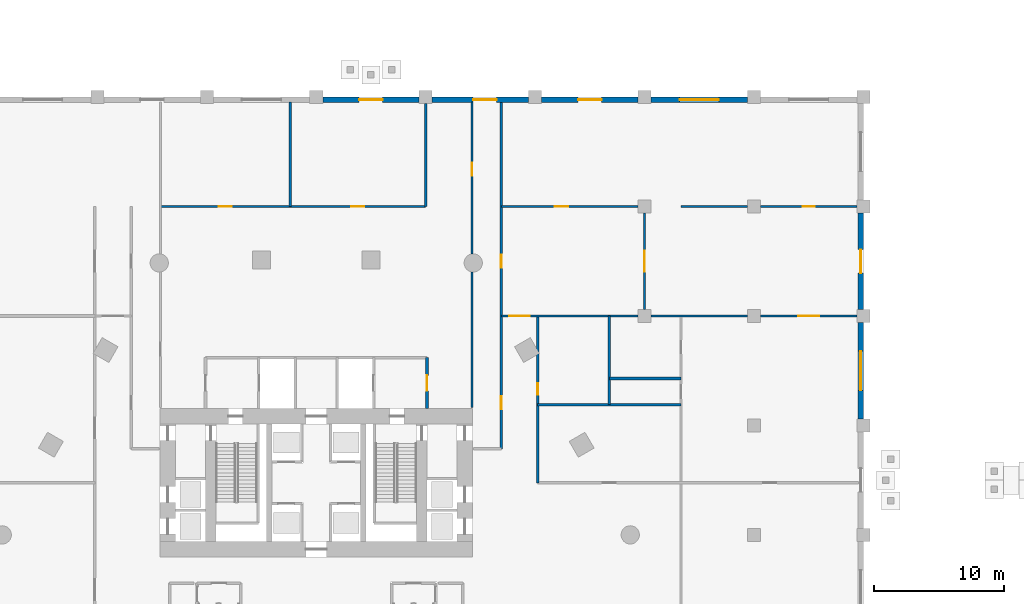
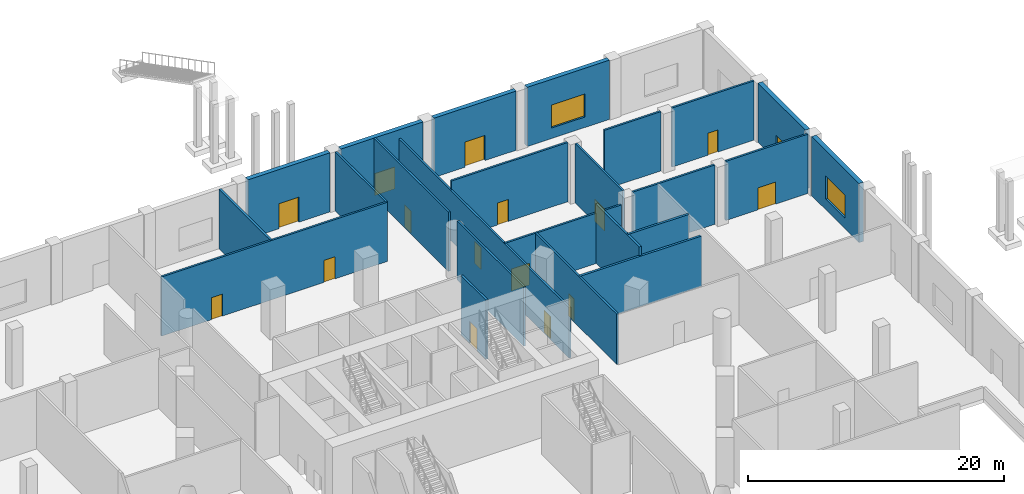
# One storey, part 17 of 25: 24 walls, 16 doors, 2 windows, 18 openings.
"""IFC4 building model written with IfcOpenShell, lengths in metres."""

from ifc_helpers import new_model, si_unit, direction, frame, frame_2d, origin, place, context, subcontext, project, spatial, rectangle, extrude, material, layer, layer_set, type_object, element, fill, save


model = new_model("IFC4")

# Units and contexts
model_context = context("Model", 3, precision=1e-05, world=origin(), true_north=direction((0.0, 1.0)))
body_context = subcontext(model_context, "Body", "Model", "MODEL_VIEW")
ifc_project = project(units=[si_unit("LENGTHUNIT", "METRE"), si_unit("AREAUNIT", "SQUARE_METRE"), si_unit("VOLUMEUNIT", "CUBIC_METRE"), si_unit("PLANEANGLEUNIT", "RADIAN"), si_unit("MASSUNIT", "GRAM", prefix="KILO")], contexts=[model_context])

# Site, building, storey
site_placement = place(None, origin())
site = spatial("IfcSite", under=ifc_project, at=site_placement, CompositionType="ELEMENT")
building_placement = place(site_placement, origin())
building = spatial("IfcBuilding", under=site, at=building_placement, Name="Ostrander Bayou Hotel Tower", CompositionType="ELEMENT")
storey_placement = place(building_placement, origin())
storey = spatial("IfcBuildingStorey", under=building, at=storey_placement, Name="L00", CompositionType="ELEMENT", Elevation=0.0)

# Walls
ifc_material_1 = material(Name="Gypsum board partition", Category="finish")
ifc_layer_1 = layer(ifc_material_1, 0.199951171875)
ifc_layer_set_1 = layer_set([ifc_layer_1], Name="PT3 demising wall 200 mm acoustic double stud, 1 hour")
wall_type_1 = type_object("IfcWallType", Name="PT3 demising wall 200 mm acoustic double stud, 1 hour", PredefinedType="PARTITIONING", material=ifc_layer_set_1)
wall_1_placement = place(storey_placement, frame((17.0, 10.0, 0.0), z_axis=(0.0, 0.0, 1.0), x_axis=(1.0, 0.0, 0.0)))
element("IfcWall", 1, at=wall_1_placement, inside=storey, type_object=wall_type_1, Name="sw:L00:039", PredefinedType="PARTITIONING", context=body_context, shape_type="SweptSolid", body=[
    extrude(rectangle(XDim=11.0, YDim=0.199951171875, at=frame_2d((5.5, 0.0))), origin(), (0.0, 0.0, 1.0), 4.800048828125),
])
wall_2_placement = place(storey_placement, frame((22.5, 12.0, 0.0), z_axis=(0.0, 0.0, 1.0), x_axis=(1.0, 0.0, 0.0)))
element("IfcWall", 2, at=wall_2_placement, inside=storey, type_object=wall_type_1, Name="sw:L00:040", PredefinedType="PARTITIONING", context=body_context, shape_type="SweptSolid", body=[
    extrude(rectangle(XDim=5.5, YDim=0.199951171875, at=frame_2d((2.75, 0.0))), origin(), (0.0, 0.0, 1.0), 5.64990234375),
])
wall_3_placement = place(storey_placement, frame((-2.0, 25.199951171875, 0.0), z_axis=(0.0, 0.0, 1.0), x_axis=(0.0, 1.0, 0.0)))
element("IfcWall", 3, at=wall_3_placement, inside=storey, type_object=wall_type_1, Name="sw:L00:046", PredefinedType="PARTITIONING", context=body_context, shape_type="SweptSolid", body=[
    extrude(rectangle(XDim=8.02001953125, YDim=0.199951171875, at=frame_2d((4.010009765625, 0.0))), origin(), (0.0, 0.0, 1.0), 5.64990234375),
])
wall_4_placement = place(storey_placement, frame((22.5, 10.0, 0.0), z_axis=(0.0, 0.0, 1.0), x_axis=(0.0, 1.0, 0.0)))
element("IfcWall", 4, at=wall_4_placement, inside=storey, type_object=wall_type_1, Name="sw:L00:047", PredefinedType="PARTITIONING", context=body_context, shape_type="SweptSolid", body=[
    extrude(rectangle(XDim=6.800048828125, YDim=0.199951171875, at=frame_2d((3.39990234375, 0.0))), origin(), (0.0, 0.0, 1.0), 5.64990234375),
])

# Wall, opening, door
ifc_material_2 = material(Name="Gypsum board partition", Category="finish")
ifc_layer_2 = layer(ifc_material_2, 0.175048828125)
ifc_layer_set_2 = layer_set([ifc_layer_2], Name="PT4 corridor wall 175 mm, 1 hour")
wall_type_2 = type_object("IfcWallType", Name="PT4 corridor wall 175 mm, 1 hour", PredefinedType="PARTITIONING", material=ifc_layer_set_2)
wall_5_placement = place(storey_placement, frame((14.199951171875, 16.800048828125, 0.0), z_axis=(0.0, 0.0, 1.0), x_axis=(1.0, 0.0, 0.0)))
wall_5 = element("IfcWall", 5, at=wall_5_placement, inside=storey, type_object=wall_type_2, Name="sw:L00:015", PredefinedType="PARTITIONING", context=body_context, shape_type="SweptSolid", body=[
    extrude(rectangle(XDim=10.5, YDim=0.175048828125, at=frame_2d((5.25, 0.0))), origin(), (0.0, 0.0, 1.0), 4.800048828125),
])
opening_1_placement = place(wall_5_placement, frame((0.60009765625, 0.0, 0.0)))
opening_1 = element("IfcOpeningElement", 6, at=opening_1_placement, cuts=wall_5, Name="Opening T00-205", PredefinedType="OPENING", context=body_context, shape_type="SweptSolid", body=[
    extrude(rectangle(XDim=1.60009765625, YDim=2.10009765625, at=frame_2d((0.800048828125, 1.050048828125))), frame((0.0, 0.08740234375, 0.0), z_axis=(0.0, -1.0, 0.0), x_axis=(1.0, 0.0, 0.0)), (0.0, 0.0, 1.0), 0.175048828125),
])
ifc_material_3 = material(Name="Timber door leaf", Category="wood")
door_type_1 = type_object("IfcDoorType", Name="D13 double door 1600 x 2100 mm, 1 hour", OperationType="SINGLE_SWING_LEFT", PredefinedType="DOOR", material=ifc_material_3)
door_1_placement = place(opening_1_placement, origin())
door_1 = element("IfcDoor", 7, at=door_1_placement, inside=storey, type_object=door_type_1, Name="dr:L00:205", OperationType="DOUBLE_DOOR_SINGLE_SWING", OverallHeight=2.10009765625, OverallWidth=1.60009765625, PredefinedType="DOOR", context=body_context, shape_type="SweptSolid", body=[
    extrude(rectangle(XDim=1.60009765625, YDim=2.10009765625, at=frame_2d((0.800048828125, 1.050048828125))), frame((0.0, 0.02490234375, 0.0), z_axis=(0.0, -1.0, 0.0), x_axis=(1.0, 0.0, 0.0)), (0.0, 0.0, 1.0), 0.050048828125),
])
fill(opening_1, door_1)

# Wall
wall_6_placement = place(storey_placement, frame((25.699951171875, 16.800048828125, 0.0), z_axis=(0.0, 0.0, 1.0), x_axis=(1.0, 0.0, 0.0)))
element("IfcWall", 8, at=wall_6_placement, inside=storey, type_object=wall_type_2, Name="sw:L00:016", PredefinedType="PARTITIONING", context=body_context, shape_type="SweptSolid", body=[
    extrude(rectangle(XDim=7.400146484375, YDim=0.175048828125, at=frame_2d((3.7001953125, 0.0))), origin(), (0.0, 0.0, 1.0), 5.64990234375),
])

# Wall, opening, door
wall_7_placement = place(storey_placement, frame((34.10009765625, 16.800048828125, 0.0), z_axis=(0.0, 0.0, 1.0), x_axis=(1.0, 0.0, 0.0)))
wall_7 = element("IfcWall", 9, at=wall_7_placement, inside=storey, type_object=wall_type_2, Name="sw:L00:017", PredefinedType="PARTITIONING", context=body_context, shape_type="SweptSolid", body=[
    extrude(rectangle(XDim=7.39990234375, YDim=0.175048828125, at=frame_2d((3.699951171875, 0.0))), origin(), (0.0, 0.0, 1.0), 5.64990234375),
])
opening_2_placement = place(wall_7_placement, frame((2.89990234375, 0.0, 0.0)))
opening_2 = element("IfcOpeningElement", 10, at=opening_2_placement, cuts=wall_7, Name="Opening T00-226", PredefinedType="OPENING", context=body_context, shape_type="SweptSolid", body=[
    extrude(rectangle(XDim=1.60009765625, YDim=2.10009765625, at=frame_2d((0.800048828125, 1.050048828125))), frame((0.0, 0.08740234375, 0.0), z_axis=(0.0, -1.0, 0.0), x_axis=(1.0, 0.0, 0.0)), (0.0, 0.0, 1.0), 0.175048828125),
])
door_2_placement = place(opening_2_placement, origin())
door_2 = element("IfcDoor", 11, at=door_2_placement, inside=storey, type_object=door_type_1, Name="dr:L00:226", OperationType="DOUBLE_DOOR_SINGLE_SWING", OverallHeight=2.10009765625, OverallWidth=1.60009765625, PredefinedType="DOOR", context=body_context, shape_type="SweptSolid", body=[
    extrude(rectangle(XDim=1.60009765625, YDim=2.10009765625, at=frame_2d((0.800048828125, 1.050048828125))), frame((0.0, 0.02490234375, 0.0), z_axis=(0.0, -1.0, 0.0), x_axis=(1.0, 0.0, 0.0)), (0.0, 0.0, 1.0), 0.050048828125),
])
fill(opening_2, door_2)

# Wall, openings, doors
wall_8_placement = place(storey_placement, frame((-11.949951171875, 25.199951171875, 0.0), z_axis=(0.0, 0.0, 1.0), x_axis=(1.0, 0.0, 0.0)))
wall_8 = element("IfcWall", 12, at=wall_8_placement, inside=storey, type_object=wall_type_2, Name="sw:L00:018", PredefinedType="PARTITIONING", context=body_context, shape_type="SweptSolid", body=[
    extrude(rectangle(XDim=20.349853515625, YDim=0.175048828125, at=frame_2d((10.1748046875, 0.0))), origin(), (0.0, 0.0, 1.0), 5.64990234375),
])
opening_3_placement = place(wall_8_placement, frame((4.47509765625, 0.0, 0.0)))
opening_3 = element("IfcOpeningElement", 13, at=opening_3_placement, cuts=wall_8, Name="Opening T00-223", PredefinedType="OPENING", context=body_context, shape_type="SweptSolid", body=[
    extrude(rectangle(XDim=1.0, YDim=2.10009765625, at=frame_2d((0.5, 1.050048828125))), frame((0.0, 0.08740234375, 0.0), z_axis=(0.0, -1.0, 0.0), x_axis=(1.0, 0.0, 0.0)), (0.0, 0.0, 1.0), 0.175048828125),
])
opening_4_placement = place(wall_8_placement, frame((14.64990234375, 0.0, 0.0)))
opening_4 = element("IfcOpeningElement", 14, at=opening_4_placement, cuts=wall_8, Name="Opening T00-224", PredefinedType="OPENING", context=body_context, shape_type="SweptSolid", body=[
    extrude(rectangle(XDim=1.0, YDim=2.10009765625, at=frame_2d((0.5, 1.050048828125))), frame((0.0, 0.08740234375, 0.0), z_axis=(0.0, -1.0, 0.0), x_axis=(1.0, 0.0, 0.0)), (0.0, 0.0, 1.0), 0.175048828125),
])
ifc_material_4 = material(Name="Timber door leaf", Category="wood")
door_type_2 = type_object("IfcDoorType", Name="D9 service door 1000 x 2100 mm, 30 minute", OperationType="SINGLE_SWING_LEFT", PredefinedType="DOOR", material=ifc_material_4)
door_3_placement = place(opening_3_placement, origin())
door_3 = element("IfcDoor", 15, at=door_3_placement, inside=storey, type_object=door_type_2, Name="dr:L00:223", OperationType="SINGLE_SWING_LEFT", OverallHeight=2.10009765625, OverallWidth=1.0, PredefinedType="DOOR", context=body_context, shape_type="SweptSolid", body=[
    extrude(rectangle(XDim=1.0, YDim=2.10009765625, at=frame_2d((0.5, 1.050048828125))), frame((0.0, 0.02490234375, 0.0), z_axis=(0.0, -1.0, 0.0), x_axis=(1.0, 0.0, 0.0)), (0.0, 0.0, 1.0), 0.050048828125),
])
fill(opening_3, door_3)
door_4_placement = place(opening_4_placement, origin())
door_4 = element("IfcDoor", 16, at=door_4_placement, inside=storey, type_object=door_type_2, Name="dr:L00:224", OperationType="SINGLE_SWING_RIGHT", OverallHeight=2.10009765625, OverallWidth=1.0, PredefinedType="DOOR", context=body_context, shape_type="SweptSolid", body=[
    extrude(rectangle(XDim=1.0, YDim=2.10009765625, at=frame_2d((0.5, 1.050048828125))), frame((0.0, 0.02490234375, 0.0), z_axis=(0.0, -1.0, 0.0), x_axis=(1.0, 0.0, 0.0)), (0.0, 0.0, 1.0), 0.050048828125),
])
fill(opening_4, door_4)

# Wall, opening, door
wall_9_placement = place(storey_placement, frame((14.199951171875, 25.199951171875, 0.0), z_axis=(0.0, 0.0, 1.0), x_axis=(1.0, 0.0, 0.0)))
wall_9 = element("IfcWall", 17, at=wall_9_placement, inside=storey, type_object=wall_type_2, Name="sw:L00:019", PredefinedType="PARTITIONING", context=body_context, shape_type="SweptSolid", body=[
    extrude(rectangle(XDim=10.5, YDim=0.175048828125, at=frame_2d((5.25, 0.0))), origin(), (0.0, 0.0, 1.0), 5.64990234375),
])
opening_5_placement = place(wall_9_placement, frame((4.125, 0.0, 0.0)))
opening_5 = element("IfcOpeningElement", 18, at=opening_5_placement, cuts=wall_9, Name="Opening T00-225", PredefinedType="OPENING", context=body_context, shape_type="SweptSolid", body=[
    extrude(rectangle(XDim=1.0, YDim=2.10009765625, at=frame_2d((0.5, 1.050048828125))), frame((0.0, 0.08740234375, 0.0), z_axis=(0.0, -1.0, 0.0), x_axis=(1.0, 0.0, 0.0)), (0.0, 0.0, 1.0), 0.175048828125),
])
door_5_placement = place(opening_5_placement, origin())
door_5 = element("IfcDoor", 19, at=door_5_placement, inside=storey, type_object=door_type_2, Name="dr:L00:225", OperationType="SINGLE_SWING_LEFT", OverallHeight=2.10009765625, OverallWidth=1.0, PredefinedType="DOOR", context=body_context, shape_type="SweptSolid", body=[
    extrude(rectangle(XDim=1.0, YDim=2.10009765625, at=frame_2d((0.5, 1.050048828125))), frame((0.0, 0.02490234375, 0.0), z_axis=(0.0, -1.0, 0.0), x_axis=(1.0, 0.0, 0.0)), (0.0, 0.0, 1.0), 0.050048828125),
])
fill(opening_5, door_5)

# Wall
wall_10_placement = place(storey_placement, frame((28.0, 25.199951171875, 0.0), z_axis=(0.0, 0.0, 1.0), x_axis=(1.0, 0.0, 0.0)))
element("IfcWall", 20, at=wall_10_placement, inside=storey, type_object=wall_type_2, Name="sw:L00:020", PredefinedType="PARTITIONING", context=body_context, shape_type="SweptSolid", body=[
    extrude(rectangle(XDim=5.10009765625, YDim=0.175048828125, at=frame_2d((2.550048828125, 0.0))), origin(), (0.0, 0.0, 1.0), 5.64990234375),
])

# Wall, opening, door
wall_11_placement = place(storey_placement, frame((34.10009765625, 25.199951171875, 0.0), z_axis=(0.0, 0.0, 1.0), x_axis=(1.0, 0.0, 0.0)))
wall_11 = element("IfcWall", 21, at=wall_11_placement, inside=storey, type_object=wall_type_2, Name="sw:L00:021", PredefinedType="PARTITIONING", context=body_context, shape_type="SweptSolid", body=[
    extrude(rectangle(XDim=7.39990234375, YDim=0.175048828125, at=frame_2d((3.699951171875, 0.0))), origin(), (0.0, 0.0, 1.0), 5.64990234375),
])
opening_6_placement = place(wall_11_placement, frame((3.25, 0.0, 0.0)))
opening_6 = element("IfcOpeningElement", 22, at=opening_6_placement, cuts=wall_11, Name="Opening T00-228", PredefinedType="OPENING", context=body_context, shape_type="SweptSolid", body=[
    extrude(rectangle(XDim=0.89990234375, YDim=2.10009765625, at=frame_2d((0.449951171875, 1.050048828125))), frame((0.0, 0.08740234375, 0.0), z_axis=(0.0, -1.0, 0.0), x_axis=(1.0, 0.0, 0.0)), (0.0, 0.0, 1.0), 0.175048828125),
])
ifc_material_5 = material(Name="Timber door leaf", Category="wood")
door_type_3 = type_object("IfcDoorType", Name="D8 room door 900 x 2100 mm", OperationType="SINGLE_SWING_LEFT", PredefinedType="DOOR", material=ifc_material_5)
door_6_placement = place(opening_6_placement, origin())
door_6 = element("IfcDoor", 23, at=door_6_placement, inside=storey, type_object=door_type_3, Name="dr:L00:228", OperationType="SINGLE_SWING_RIGHT", OverallHeight=2.10009765625, OverallWidth=0.89990234375, PredefinedType="DOOR", context=body_context, shape_type="SweptSolid", body=[
    extrude(rectangle(XDim=0.89990234375, YDim=2.10009765625, at=frame_2d((0.449951171875, 1.050048828125))), frame((0.0, 0.02490234375, 0.0), z_axis=(0.0, -1.0, 0.0), x_axis=(1.0, 0.0, 0.0)), (0.0, 0.0, 1.0), 0.050048828125),
])
fill(opening_6, door_6)

# Walls
wall_12_placement = place(storey_placement, frame((8.39990234375, 25.199951171875, 0.0), z_axis=(0.0, 0.0, 1.0), x_axis=(0.0, 1.0, 0.0)))
element("IfcWall", 24, at=wall_12_placement, inside=storey, type_object=wall_type_2, Name="sw:L00:028", PredefinedType="PARTITIONING", context=body_context, shape_type="SweptSolid", body=[
    extrude(rectangle(XDim=7.900146484375, YDim=0.175048828125, at=frame_2d((3.9501953125, 0.0))), origin(), (0.0, 0.0, 1.0), 5.64990234375),
])
wall_13_placement = place(storey_placement, frame((11.949951171875, 9.780029296875, 0.0), z_axis=(0.0, 0.0, 1.0), x_axis=(0.0, 1.0, 0.0)))
element("IfcWall", 25, at=wall_13_placement, inside=storey, type_object=wall_type_2, Name="sw:L00:029", PredefinedType="PARTITIONING", context=body_context, shape_type="SweptSolid", body=[
    extrude(rectangle(XDim=10.402099609375, YDim=0.175048828125, at=frame_2d((5.201171875, 0.0))), origin(), (0.0, 0.0, 1.0), 5.64990234375),
])

# Wall, opening, door
wall_14_placement = place(storey_placement, frame((11.949951171875, 21.562255859375, 0.0), z_axis=(0.0, 0.0, 1.0), x_axis=(0.0, 1.0, 0.0)))
wall_14 = element("IfcWall", 26, at=wall_14_placement, inside=storey, type_object=wall_type_2, Name="sw:L00:030", PredefinedType="PARTITIONING", context=body_context, shape_type="SweptSolid", body=[
    extrude(rectangle(XDim=11.65771484375, YDim=0.175048828125, at=frame_2d((5.828857421875, 0.0))), origin(), (0.0, 0.0, 1.0), 5.64990234375),
])
opening_7_placement = place(wall_14_placement, frame((5.983642578125, 0.0, 0.0)))
opening_7 = element("IfcOpeningElement", 27, at=opening_7_placement, cuts=wall_14, Name="Opening T00-210", PredefinedType="OPENING", context=body_context, shape_type="SweptSolid", body=[
    extrude(rectangle(XDim=1.0, YDim=2.10009765625, at=frame_2d((0.5, 1.050048828125))), frame((0.0, 0.08740234375, 0.0), z_axis=(0.0, -1.0, 0.0), x_axis=(1.0, 0.0, 0.0)), (0.0, 0.0, 1.0), 0.175048828125),
])
ifc_material_6 = material(Name="Timber door leaf", Category="wood")
door_type_4 = type_object("IfcDoorType", Name="D4 corridor door 1000 x 2100 mm, 1 hour", OperationType="SINGLE_SWING_LEFT", PredefinedType="DOOR", material=ifc_material_6)
door_7_placement = place(opening_7_placement, origin())
door_7 = element("IfcDoor", 28, at=door_7_placement, inside=storey, type_object=door_type_4, Name="dr:L00:210", OperationType="SINGLE_SWING_RIGHT", OverallHeight=2.10009765625, OverallWidth=1.0, PredefinedType="DOOR", context=body_context, shape_type="SweptSolid", body=[
    extrude(rectangle(XDim=1.0, YDim=2.10009765625, at=frame_2d((0.5, 1.050048828125))), frame((0.0, 0.02490234375, 0.0), z_axis=(0.0, -1.0, 0.0), x_axis=(1.0, 0.0, 0.0)), (0.0, 0.0, 1.0), 0.050048828125),
])
fill(opening_7, door_7)

# Wall, openings, doors
wall_15_placement = place(storey_placement, frame((14.199951171875, 6.60009765625, 0.0), z_axis=(0.0, 0.0, 1.0), x_axis=(0.0, 1.0, 0.0)))
wall_15 = element("IfcWall", 29, at=wall_15_placement, inside=storey, type_object=wall_type_2, Name="sw:L00:031", PredefinedType="PARTITIONING", context=body_context, shape_type="SweptSolid", body=[
    extrude(rectangle(XDim=26.619873046875, YDim=0.175048828125, at=frame_2d((13.31005859375, 0.0))), origin(), (0.0, 0.0, 1.0), 4.800048828125),
])
opening_8_placement = place(wall_15_placement, frame((3.052490234375, 0.0, 0.0)))
opening_8 = element("IfcOpeningElement", 30, at=opening_8_placement, cuts=wall_15, Name="Opening T00-209", PredefinedType="OPENING", context=body_context, shape_type="SweptSolid", body=[
    extrude(rectangle(XDim=1.0, YDim=2.10009765625, at=frame_2d((0.5, 1.050048828125))), frame((0.0, 0.08740234375, 0.0), z_axis=(0.0, -1.0, 0.0), x_axis=(1.0, 0.0, 0.0)), (0.0, 0.0, 1.0), 0.175048828125),
])
opening_9_placement = place(wall_15_placement, frame((13.89990234375, 0.0, 0.0)))
opening_9 = element("IfcOpeningElement", 31, at=opening_9_placement, cuts=wall_15, Name="Opening T00-211", PredefinedType="OPENING", context=body_context, shape_type="SweptSolid", body=[
    extrude(rectangle(XDim=1.0, YDim=2.10009765625, at=frame_2d((0.5, 1.050048828125))), frame((0.0, 0.08740234375, 0.0), z_axis=(0.0, -1.0, 0.0), x_axis=(1.0, 0.0, 0.0)), (0.0, 0.0, 1.0), 0.175048828125),
])
door_8_placement = place(opening_8_placement, origin())
door_8 = element("IfcDoor", 32, at=door_8_placement, inside=storey, type_object=door_type_4, Name="dr:L00:209", OperationType="SINGLE_SWING_LEFT", OverallHeight=2.10009765625, OverallWidth=1.0, PredefinedType="DOOR", context=body_context, shape_type="SweptSolid", body=[
    extrude(rectangle(XDim=1.0, YDim=2.10009765625, at=frame_2d((0.5, 1.050048828125))), frame((0.0, 0.02490234375, 0.0), z_axis=(0.0, -1.0, 0.0), x_axis=(1.0, 0.0, 0.0)), (0.0, 0.0, 1.0), 0.050048828125),
])
fill(opening_8, door_8)
door_9_placement = place(opening_9_placement, origin())
door_9 = element("IfcDoor", 33, at=door_9_placement, inside=storey, type_object=door_type_4, Name="dr:L00:211", OperationType="SINGLE_SWING_LEFT", OverallHeight=2.10009765625, OverallWidth=1.0, PredefinedType="DOOR", context=body_context, shape_type="SweptSolid", body=[
    extrude(rectangle(XDim=1.0, YDim=2.10009765625, at=frame_2d((0.5, 1.050048828125))), frame((0.0, 0.02490234375, 0.0), z_axis=(0.0, -1.0, 0.0), x_axis=(1.0, 0.0, 0.0)), (0.0, 0.0, 1.0), 0.050048828125),
])
fill(opening_9, door_9)

# Wall, opening, door
wall_16_placement = place(storey_placement, frame((17.0, 4.0, 0.0), z_axis=(0.0, 0.0, 1.0), x_axis=(0.0, 1.0, 0.0)))
wall_16 = element("IfcWall", 34, at=wall_16_placement, inside=storey, type_object=wall_type_2, Name="sw:L00:033", PredefinedType="PARTITIONING", context=body_context, shape_type="SweptSolid", body=[
    extrude(rectangle(XDim=12.800048828125, YDim=0.175048828125, at=frame_2d((6.39990234375, 0.0))), origin(), (0.0, 0.0, 1.0), 4.800048828125),
])
opening_10_placement = place(wall_16_placement, frame((6.75390625, 0.0, 0.0)))
opening_10 = element("IfcOpeningElement", 35, at=opening_10_placement, cuts=wall_16, Name="Opening T00-217", PredefinedType="OPENING", context=body_context, shape_type="SweptSolid", body=[
    extrude(rectangle(XDim=0.89990234375, YDim=2.10009765625, at=frame_2d((0.449951171875, 1.050048828125))), frame((0.0, 0.08740234375, 0.0), z_axis=(0.0, -1.0, 0.0), x_axis=(1.0, 0.0, 0.0)), (0.0, 0.0, 1.0), 0.175048828125),
])
door_10_placement = place(opening_10_placement, origin())
door_10 = element("IfcDoor", 36, at=door_10_placement, inside=storey, type_object=door_type_3, Name="dr:L00:217", OperationType="SINGLE_SWING_LEFT", OverallHeight=2.10009765625, OverallWidth=0.89990234375, PredefinedType="DOOR", context=body_context, shape_type="SweptSolid", body=[
    extrude(rectangle(XDim=0.89990234375, YDim=2.10009765625, at=frame_2d((0.449951171875, 1.050048828125))), frame((0.0, 0.02490234375, 0.0), z_axis=(0.0, -1.0, 0.0), x_axis=(1.0, 0.0, 0.0)), (0.0, 0.0, 1.0), 0.050048828125),
])
fill(opening_10, door_10)

wall_17_placement = place(storey_placement, frame((25.199951171875, 17.300048828125, 0.0), z_axis=(0.0, 0.0, 1.0), x_axis=(0.0, 1.0, 0.0)))
wall_17 = element("IfcWall", 37, at=wall_17_placement, inside=storey, type_object=wall_type_2, Name="sw:L00:035", PredefinedType="PARTITIONING", context=body_context, shape_type="SweptSolid", body=[
    extrude(rectangle(XDim=7.39990234375, YDim=0.175048828125, at=frame_2d((3.699951171875, 0.0))), origin(), (0.0, 0.0, 1.0), 5.64990234375),
])
opening_11_placement = place(wall_17_placement, frame((2.89990234375, 0.0, 0.0)))
opening_11 = element("IfcOpeningElement", 38, at=opening_11_placement, cuts=wall_17, Name="Opening T00-227", PredefinedType="OPENING", context=body_context, shape_type="SweptSolid", body=[
    extrude(rectangle(XDim=1.60009765625, YDim=2.10009765625, at=frame_2d((0.800048828125, 1.050048828125))), frame((0.0, 0.08740234375, 0.0), z_axis=(0.0, -1.0, 0.0), x_axis=(1.0, 0.0, 0.0)), (0.0, 0.0, 1.0), 0.175048828125),
])
door_11_placement = place(opening_11_placement, origin())
door_11 = element("IfcDoor", 39, at=door_11_placement, inside=storey, type_object=door_type_1, Name="dr:L00:227", OperationType="DOUBLE_DOOR_SINGLE_SWING", OverallHeight=2.10009765625, OverallWidth=1.60009765625, PredefinedType="DOOR", context=body_context, shape_type="SweptSolid", body=[
    extrude(rectangle(XDim=1.60009765625, YDim=2.10009765625, at=frame_2d((0.800048828125, 1.050048828125))), frame((0.0, 0.02490234375, 0.0), z_axis=(0.0, -1.0, 0.0), x_axis=(1.0, 0.0, 0.0)), (0.0, 0.0, 1.0), 0.050048828125),
])
fill(opening_11, door_11)

ifc_material_7 = material(Name="Masonry block", Category="masonry")
ifc_layer_3 = layer(ifc_material_7, 0.199951171875)
ifc_layer_set_3 = layer_set([ifc_layer_3], Name="PT5 stair enclosure wall 200 mm masonry, 2 hour")
wall_type_3 = type_object("IfcWallType", Name="PT5 stair enclosure wall 200 mm masonry, 2 hour", PredefinedType="PARTITIONING", material=ifc_layer_set_3)
wall_18_placement = place(storey_placement, frame((8.5, 9.699951171875, 0.0), z_axis=(0.0, 0.0, 1.0), x_axis=(0.0, 1.0, 0.0)))
wall_18 = element("IfcWall", 40, at=wall_18_placement, inside=storey, type_object=wall_type_3, Name="cs:L00:023", PredefinedType="PARTITIONING", context=body_context, shape_type="SweptSolid", body=[
    extrude(rectangle(XDim=3.900146484375, YDim=0.199951171875, at=frame_2d((1.9501953125, 0.0))), origin(), (0.0, 0.0, 1.0), 5.64990234375),
])
opening_12_placement = place(wall_18_placement, frame((1.35009765625, 0.0, 0.0)))
opening_12 = element("IfcOpeningElement", 41, at=opening_12_placement, cuts=wall_18, Name="Opening T00-016", PredefinedType="OPENING", context=body_context, shape_type="SweptSolid", body=[
    extrude(rectangle(XDim=1.199951171875, YDim=2.10009765625, at=frame_2d((0.60009765625, 1.050048828125))), frame((0.0, 0.10009765625, 0.0), z_axis=(0.0, -1.0, 0.0), x_axis=(1.0, 0.0, 0.0)), (0.0, 0.0, 1.0), 0.199951171875),
])
ifc_material_8 = material(Name="Timber door leaf", Category="wood")
door_type_5 = type_object("IfcDoorType", Name="D7 lobby door 1200 x 2100 mm, 1 hour", OperationType="SINGLE_SWING_LEFT", PredefinedType="DOOR", material=ifc_material_8)
door_12_placement = place(opening_12_placement, origin())
door_12 = element("IfcDoor", 42, at=door_12_placement, inside=storey, type_object=door_type_5, Name="dr:L00:016", OperationType="SINGLE_SWING_LEFT", OverallHeight=2.10009765625, OverallWidth=1.199951171875, PredefinedType="DOOR", context=body_context, shape_type="SweptSolid", body=[
    extrude(rectangle(XDim=1.199951171875, YDim=2.10009765625, at=frame_2d((0.60009765625, 1.050048828125))), frame((0.0, 0.02490234375, 0.0), z_axis=(0.0, -1.0, 0.0), x_axis=(1.0, 0.0, 0.0)), (0.0, 0.0, 1.0), 0.050048828125),
])
fill(opening_12, door_12)

ifc_material_9 = material(Name="Reconstituted stone on masonry backing", Category="masonry")
ifc_layer_4 = layer(ifc_material_9, 0.39990234375)
ifc_layer_set_4 = layer_set([ifc_layer_4], Name="PW1 stone cladding wall 400 mm")
wall_type_4 = type_object("IfcWallType", Name="PW1 stone cladding wall 400 mm", PredefinedType="SOLIDWALL", material=ifc_layer_set_4)
wall_19_placement = place(storey_placement, frame((41.800048828125, 24.699951171875, 0.0), z_axis=(0.0, 0.0, 1.0), x_axis=(0.0, -1.0, 0.0)))
wall_19 = element("IfcWall", 43, at=wall_19_placement, inside=storey, type_object=wall_type_4, Name="pw:L00:10", PredefinedType="SOLIDWALL", context=body_context, shape_type="SweptSolid", body=[
    extrude(rectangle(XDim=7.39990234375, YDim=0.39990234375, at=frame_2d((3.699951171875, 0.0))), origin(), (0.0, 0.0, 1.0), 5.64990234375),
])
opening_13_placement = place(wall_19_placement, frame((2.800048828125, 0.0, 0.0)))
opening_13 = element("IfcOpeningElement", 44, at=opening_13_placement, cuts=wall_19, Name="Opening E6", PredefinedType="OPENING", context=body_context, shape_type="SweptSolid", body=[
    extrude(rectangle(XDim=1.800048828125, YDim=2.39990234375, at=frame_2d((0.89990234375, 1.199951171875))), frame((0.0, 0.199951171875, 0.0), z_axis=(0.0, -1.0, 0.0), x_axis=(1.0, 0.0, 0.0)), (0.0, 0.0, 1.0), 0.39990234375),
])
ifc_material_10 = material(Name="Aluminium and clear glass", Category="aluminium")
door_type_6 = type_object("IfcDoorType", Name="ED1 entrance door 1800 mm", OperationType="DOUBLE_DOOR_SINGLE_SWING", PredefinedType="DOOR", material=ifc_material_10)
door_13_placement = place(opening_13_placement, origin())
door_13 = element("IfcDoor", 45, at=door_13_placement, inside=storey, type_object=door_type_6, Name="ED1 E6", OperationType="SINGLE_SWING_LEFT", OverallHeight=2.39990234375, OverallWidth=1.800048828125, PredefinedType="DOOR", context=body_context, shape_type="SweptSolid", body=[
    extrude(rectangle(XDim=1.800048828125, YDim=2.39990234375, at=frame_2d((0.89990234375, 1.199951171875))), frame((0.0, 0.02490234375, 0.0), z_axis=(0.0, -1.0, 0.0), x_axis=(1.0, 0.0, 0.0)), (0.0, 0.0, 1.0), 0.050048828125),
])
fill(opening_13, door_13)

# Wall, opening, window
wall_20_placement = place(storey_placement, frame((41.800048828125, 16.300048828125, 0.0), z_axis=(0.0, 0.0, 1.0), x_axis=(0.0, -1.0, 0.0)))
wall_20 = element("IfcWall", 46, at=wall_20_placement, inside=storey, type_object=wall_type_4, Name="pw:L00:11", PredefinedType="SOLIDWALL", context=body_context, shape_type="SweptSolid", body=[
    extrude(rectangle(XDim=7.400146484375, YDim=0.39990234375, at=frame_2d((3.7001953125, 0.0))), origin(), (0.0, 0.0, 1.0), 5.64990234375),
])
opening_14_placement = place(wall_20_placement, frame((2.199951171875, 0.0, 1.0)))
opening_14 = element("IfcOpeningElement", 47, at=opening_14_placement, cuts=wall_20, Name="Opening W6", PredefinedType="OPENING", context=body_context, shape_type="SweptSolid", body=[
    extrude(rectangle(XDim=3.0, YDim=2.199951171875, at=frame_2d((1.5, 1.10009765625))), frame((0.0, 0.199951171875, 0.0), z_axis=(0.0, -1.0, 0.0), x_axis=(1.0, 0.0, 0.0)), (0.0, 0.0, 1.0), 0.39990234375),
])
ifc_material_11 = material(Name="Aluminium and clear glass", Category="aluminium")
window_type = type_object("IfcWindowType", Name="W6 podium window 3000 mm", PartitioningType="SINGLE_PANEL", PredefinedType="WINDOW", material=ifc_material_11)
window_1_placement = place(opening_14_placement, origin())
window_1 = element("IfcWindow", 48, at=window_1_placement, inside=storey, type_object=window_type, Name="W6 L00 11", OverallHeight=2.199951171875, OverallWidth=3.0, PartitioningType="SINGLE_PANEL", PredefinedType="WINDOW", context=body_context, shape_type="SweptSolid", body=[
    extrude(rectangle(XDim=3.0, YDim=2.199951171875, at=frame_2d((1.5, 1.10009765625))), frame((0.0, 0.030029296875, 0.0), z_axis=(0.0, -1.0, 0.0), x_axis=(1.0, 0.0, 0.0)), (0.0, 0.0, 1.0), 0.06005859375),
])
fill(opening_14, window_1)

# Wall, opening, door
wall_21_placement = place(storey_placement, frame((0.5, 33.39990234375, 0.0), z_axis=(0.0, 0.0, 1.0), x_axis=(1.0, 0.0, 0.0)))
wall_21 = element("IfcWall", 49, at=wall_21_placement, inside=storey, type_object=wall_type_4, Name="pw:L00:24", PredefinedType="SOLIDWALL", context=body_context, shape_type="SweptSolid", body=[
    extrude(rectangle(XDim=7.39990234375, YDim=0.39990234375, at=frame_2d((3.699951171875, 0.0))), origin(), (0.0, 0.0, 1.0), 5.64990234375),
])
opening_15_placement = place(wall_21_placement, frame((2.800048828125, 0.0, 0.0)))
opening_15 = element("IfcOpeningElement", 50, at=opening_15_placement, cuts=wall_21, Name="Opening E13", PredefinedType="OPENING", context=body_context, shape_type="SweptSolid", body=[
    extrude(rectangle(XDim=1.800048828125, YDim=2.39990234375, at=frame_2d((0.89990234375, 1.199951171875))), frame((0.0, 0.199951171875, 0.0), z_axis=(0.0, -1.0, 0.0), x_axis=(1.0, 0.0, 0.0)), (0.0, 0.0, 1.0), 0.39990234375),
])
door_14_placement = place(opening_15_placement, origin())
door_14 = element("IfcDoor", 51, at=door_14_placement, inside=storey, type_object=door_type_6, Name="ED1 E13", OperationType="SINGLE_SWING_LEFT", OverallHeight=2.39990234375, OverallWidth=1.800048828125, PredefinedType="DOOR", context=body_context, shape_type="SweptSolid", body=[
    extrude(rectangle(XDim=1.800048828125, YDim=2.39990234375, at=frame_2d((0.89990234375, 1.199951171875))), frame((0.0, 0.02490234375, 0.0), z_axis=(0.0, -1.0, 0.0), x_axis=(1.0, 0.0, 0.0)), (0.0, 0.0, 1.0), 0.050048828125),
])
fill(opening_15, door_14)

wall_22_placement = place(storey_placement, frame((8.89990234375, 33.39990234375, 0.0), z_axis=(0.0, 0.0, 1.0), x_axis=(1.0, 0.0, 0.0)))
wall_22 = element("IfcWall", 52, at=wall_22_placement, inside=storey, type_object=wall_type_4, Name="pw:L00:25", PredefinedType="SOLIDWALL", context=body_context, shape_type="SweptSolid", body=[
    extrude(rectangle(XDim=7.400146484375, YDim=0.39990234375, at=frame_2d((3.7001953125, 0.0))), origin(), (0.0, 0.0, 1.0), 5.64990234375),
])
opening_16_placement = place(wall_22_placement, frame((3.14990234375, 0.0, 0.0)))
opening_16 = element("IfcOpeningElement", 53, at=opening_16_placement, cuts=wall_22, Name="Opening T00-231", PredefinedType="OPENING", context=body_context, shape_type="SweptSolid", body=[
    extrude(rectangle(XDim=1.800048828125, YDim=2.10009765625, at=frame_2d((0.89990234375, 1.050048828125))), frame((0.0, 0.199951171875, 0.0), z_axis=(0.0, -1.0, 0.0), x_axis=(1.0, 0.0, 0.0)), (0.0, 0.0, 1.0), 0.39990234375),
])
ifc_material_12 = material(Name="Timber door leaf", Category="wood")
door_type_7 = type_object("IfcDoorType", Name="D11 double leaf door 1800 x 2100 mm", OperationType="SINGLE_SWING_LEFT", PredefinedType="DOOR", material=ifc_material_12)
door_15_placement = place(opening_16_placement, origin())
door_15 = element("IfcDoor", 54, at=door_15_placement, inside=storey, type_object=door_type_7, Name="dr:L00:231", OperationType="SINGLE_SWING_LEFT", OverallHeight=2.10009765625, OverallWidth=1.800048828125, PredefinedType="DOOR", context=body_context, shape_type="SweptSolid", body=[
    extrude(rectangle(XDim=1.800048828125, YDim=2.10009765625, at=frame_2d((0.89990234375, 1.050048828125))), frame((0.0, 0.02490234375, 0.0), z_axis=(0.0, -1.0, 0.0), x_axis=(1.0, 0.0, 0.0)), (0.0, 0.0, 1.0), 0.050048828125),
])
fill(opening_16, door_15)

wall_23_placement = place(storey_placement, frame((17.300048828125, 33.39990234375, 0.0), z_axis=(0.0, 0.0, 1.0), x_axis=(1.0, 0.0, 0.0)))
wall_23 = element("IfcWall", 55, at=wall_23_placement, inside=storey, type_object=wall_type_4, Name="pw:L00:26", PredefinedType="SOLIDWALL", context=body_context, shape_type="SweptSolid", body=[
    extrude(rectangle(XDim=7.39990234375, YDim=0.39990234375, at=frame_2d((3.699951171875, 0.0))), origin(), (0.0, 0.0, 1.0), 5.64990234375),
])
opening_17_placement = place(wall_23_placement, frame((2.800048828125, 0.0, 0.0)))
opening_17 = element("IfcOpeningElement", 56, at=opening_17_placement, cuts=wall_23, Name="Opening E14", PredefinedType="OPENING", context=body_context, shape_type="SweptSolid", body=[
    extrude(rectangle(XDim=1.800048828125, YDim=2.39990234375, at=frame_2d((0.89990234375, 1.199951171875))), frame((0.0, 0.199951171875, 0.0), z_axis=(0.0, -1.0, 0.0), x_axis=(1.0, 0.0, 0.0)), (0.0, 0.0, 1.0), 0.39990234375),
])
door_16_placement = place(opening_17_placement, origin())
door_16 = element("IfcDoor", 57, at=door_16_placement, inside=storey, type_object=door_type_6, Name="ED1 E14", OperationType="SINGLE_SWING_LEFT", OverallHeight=2.39990234375, OverallWidth=1.800048828125, PredefinedType="DOOR", context=body_context, shape_type="SweptSolid", body=[
    extrude(rectangle(XDim=1.800048828125, YDim=2.39990234375, at=frame_2d((0.89990234375, 1.199951171875))), frame((0.0, 0.02490234375, 0.0), z_axis=(0.0, -1.0, 0.0), x_axis=(1.0, 0.0, 0.0)), (0.0, 0.0, 1.0), 0.050048828125),
])
fill(opening_17, door_16)

# Wall, opening, window
wall_24_placement = place(storey_placement, frame((25.699951171875, 33.39990234375, 0.0), z_axis=(0.0, 0.0, 1.0), x_axis=(1.0, 0.0, 0.0)))
wall_24 = element("IfcWall", 58, at=wall_24_placement, inside=storey, type_object=wall_type_4, Name="pw:L00:27", PredefinedType="SOLIDWALL", context=body_context, shape_type="SweptSolid", body=[
    extrude(rectangle(XDim=7.400146484375, YDim=0.39990234375, at=frame_2d((3.7001953125, 0.0))), origin(), (0.0, 0.0, 1.0), 5.64990234375),
])
opening_18_placement = place(wall_24_placement, frame((2.199951171875, 0.0, 1.0)))
opening_18 = element("IfcOpeningElement", 59, at=opening_18_placement, cuts=wall_24, Name="Opening W6", PredefinedType="OPENING", context=body_context, shape_type="SweptSolid", body=[
    extrude(rectangle(XDim=3.0, YDim=2.199951171875, at=frame_2d((1.5, 1.10009765625))), frame((0.0, 0.199951171875, 0.0), z_axis=(0.0, -1.0, 0.0), x_axis=(1.0, 0.0, 0.0)), (0.0, 0.0, 1.0), 0.39990234375),
])
window_2_placement = place(opening_18_placement, origin())
window_2 = element("IfcWindow", 60, at=window_2_placement, inside=storey, type_object=window_type, Name="W6 L00 27", OverallHeight=2.199951171875, OverallWidth=3.0, PartitioningType="SINGLE_PANEL", PredefinedType="WINDOW", context=body_context, shape_type="SweptSolid", body=[
    extrude(rectangle(XDim=3.0, YDim=2.199951171875, at=frame_2d((1.5, 1.10009765625))), frame((0.0, 0.030029296875, 0.0), z_axis=(0.0, -1.0, 0.0), x_axis=(1.0, 0.0, 0.0)), (0.0, 0.0, 1.0), 0.06005859375),
])
fill(opening_18, window_2)

save(model, "model.ifc")
